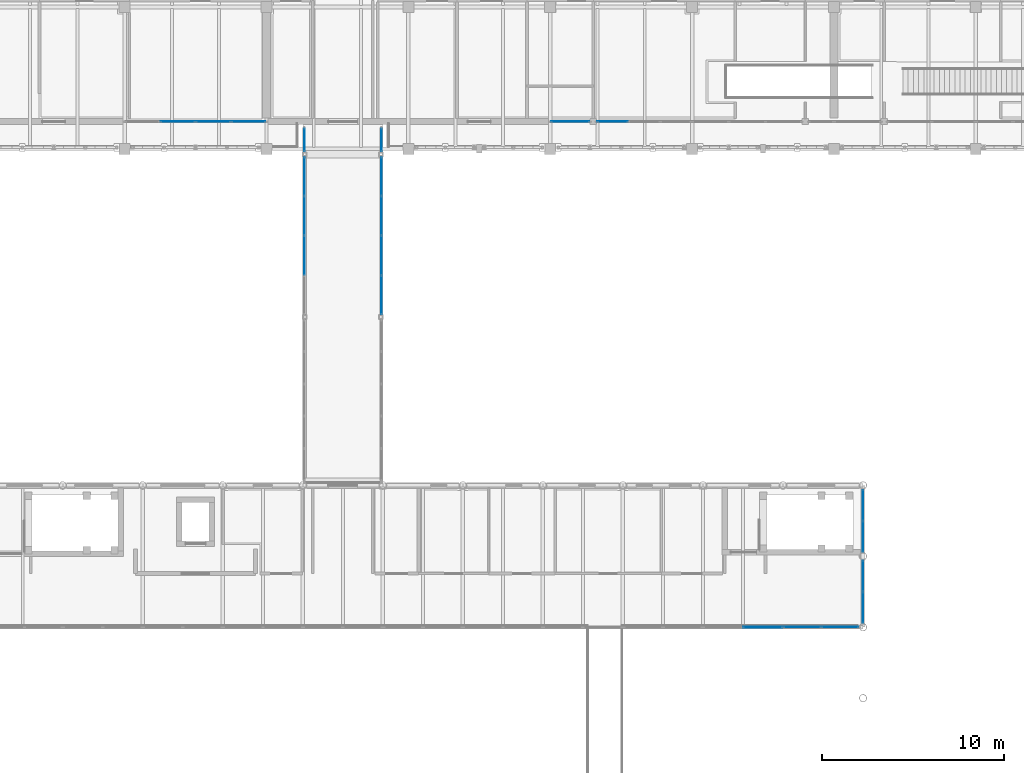
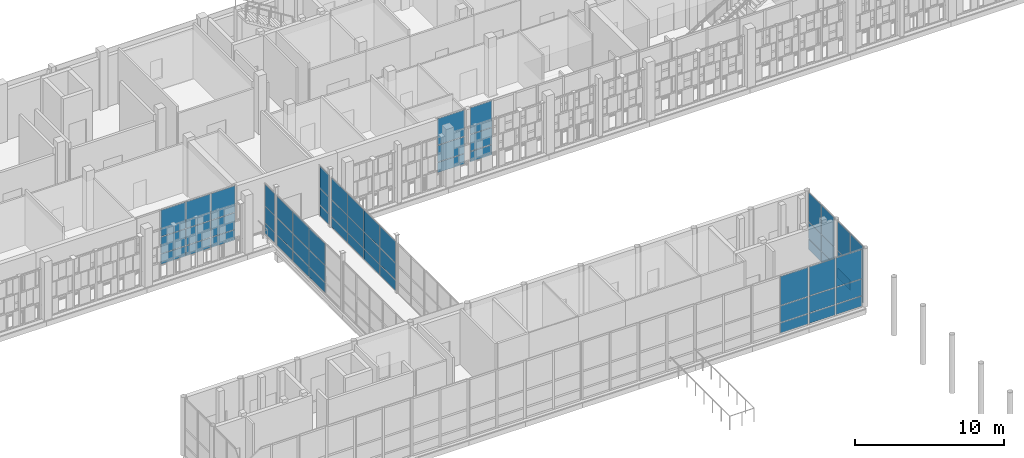
# One storey, part 83 of 138: 63 plates, 11 elements without a shape of their own.
"""IFC4 building model written with IfcOpenShell, lengths in metres."""

from ifc_helpers import new_model, si_unit, direction, frame, origin, origin_2d, place, context, subcontext, project, spatial, rectangle, extrude, material, layer, layer_set, type_object, element, aggregate, save


model = new_model("IFC4")

# Units and contexts
model_context = context("Model", 3, precision=1e-05, world=origin(), true_north=direction((0.0, 1.0)))
body_context = subcontext(model_context, "Body", "Model", "MODEL_VIEW")
ifc_project = project(units=[si_unit("LENGTHUNIT", "METRE"), si_unit("AREAUNIT", "SQUARE_METRE"), si_unit("VOLUMEUNIT", "CUBIC_METRE"), si_unit("PLANEANGLEUNIT", "RADIAN"), si_unit("MASSUNIT", "GRAM", prefix="KILO")], contexts=[model_context])

# Site, building, storey
site_placement = place(None, origin())
site = spatial("IfcSite", under=ifc_project, at=site_placement, CompositionType="ELEMENT")
building_placement = place(site_placement, origin())
building = spatial("IfcBuilding", under=site, at=building_placement, Name="Celorna Specialist Clinic", CompositionType="ELEMENT")
storey_placement = place(building_placement, frame((0.0, 0.0, 4.800048828125)))
storey = spatial("IfcBuildingStorey", under=building, at=storey_placement, Name="L01", CompositionType="ELEMENT", Elevation=4.800048828125)

# Curtain wall, plates
ifc_material_1 = material(Name="Thermally broken aluminium and solar-control glass curtain wall", Category="aluminium")
ifc_layer_1 = layer(ifc_material_1, 0.159912109375, Name="Thermally broken aluminium and solar-control glass curtain wall")
ifc_layer_set_1 = layer_set([ifc_layer_1], Name="Thermally broken aluminium and solar-control glass curtain wall")
curtain_wall_type_1 = type_object("IfcCurtainWallType", Name="CW-12", PredefinedType="NOTDEFINED", material=ifc_layer_set_1)
curtain_wall_1_placement = place(storey_placement, origin())
curtain_wall_1 = element("IfcCurtainWall", 1, at=curtain_wall_1_placement, inside=storey, type_object=curtain_wall_type_1, Name="Curtain wall CW-12 #36", PredefinedType="NOTDEFINED")
ifc_material_2 = material(Name="Low-e double glazing", Category="glass")
ifc_layer_2 = layer(ifc_material_2, 0.028076171875, Name="Low-e double glazing")
ifc_layer_set_2 = layer_set([ifc_layer_2], Name="Low-e double glazing")
plate_type_1 = type_object("IfcPlateType", Name="CPN-01", PredefinedType="CURTAIN_PANEL", material=ifc_layer_set_2)
plate_1_placement = place(storey_placement, frame((101.733154296875, 70.199951171875, 0.0498046875), z_axis=(0.0, 0.0, 1.0), x_axis=(-1.0, 0.0, 0.0)))
plate_1 = element("IfcPlate", 2, at=plate_1_placement, type_object=plate_type_1, Name="CW-12 panel 1.1", PredefinedType="CURTAIN_PANEL", context=body_context, shape_type="SweptSolid", body=[
    extrude(rectangle(XDim=2.019287109375, YDim=0.028076171875, at=origin_2d()), origin(), (0.0, 0.0, 1.0), 0.824951171875),
])
plate_2_placement = place(storey_placement, frame((101.733154296875, 70.199951171875, 0.9248046875), z_axis=(0.0, 0.0, 1.0), x_axis=(-1.0, 0.0, 0.0)))
plate_2 = element("IfcPlate", 3, at=plate_2_placement, type_object=plate_type_1, Name="CW-12 panel 1.2", PredefinedType="CURTAIN_PANEL", context=body_context, shape_type="SweptSolid", body=[
    extrude(rectangle(XDim=2.019287109375, YDim=0.028076171875, at=origin_2d()), origin(), (0.0, 0.0, 1.0), 1.35009765625),
])
plate_3_placement = place(storey_placement, frame((101.733154296875, 70.199951171875, 2.324951171875), z_axis=(0.0, 0.0, 1.0), x_axis=(-1.0, 0.0, 0.0)))
plate_3 = element("IfcPlate", 4, at=plate_3_placement, type_object=plate_type_1, Name="CW-12 panel 1.3", PredefinedType="CURTAIN_PANEL", context=body_context, shape_type="SweptSolid", body=[
    extrude(rectangle(XDim=2.019287109375, YDim=0.028076171875, at=origin_2d()), origin(), (0.0, 0.0, 1.0), 2.375),
])
plate_4_placement = place(storey_placement, frame((99.663818359375, 70.199951171875, 0.0498046875), z_axis=(0.0, 0.0, 1.0), x_axis=(-1.0, 0.0, 0.0)))
plate_4 = element("IfcPlate", 5, at=plate_4_placement, type_object=plate_type_1, Name="CW-12 panel 2.1", PredefinedType="CURTAIN_PANEL", context=body_context, shape_type="SweptSolid", body=[
    extrude(rectangle(XDim=2.019287109375, YDim=0.028076171875, at=origin_2d()), origin(), (0.0, 0.0, 1.0), 0.824951171875),
])
plate_5_placement = place(storey_placement, frame((99.663818359375, 70.199951171875, 0.9248046875), z_axis=(0.0, 0.0, 1.0), x_axis=(-1.0, 0.0, 0.0)))
plate_5 = element("IfcPlate", 6, at=plate_5_placement, type_object=plate_type_1, Name="CW-12 panel 2.2", PredefinedType="CURTAIN_PANEL", context=body_context, shape_type="SweptSolid", body=[
    extrude(rectangle(XDim=2.019287109375, YDim=0.028076171875, at=origin_2d()), origin(), (0.0, 0.0, 1.0), 1.35009765625),
])
plate_6_placement = place(storey_placement, frame((99.663818359375, 70.199951171875, 2.324951171875), z_axis=(0.0, 0.0, 1.0), x_axis=(-1.0, 0.0, 0.0)))
plate_6 = element("IfcPlate", 7, at=plate_6_placement, type_object=plate_type_1, Name="CW-12 panel 2.3", PredefinedType="CURTAIN_PANEL", context=body_context, shape_type="SweptSolid", body=[
    extrude(rectangle(XDim=2.019287109375, YDim=0.028076171875, at=origin_2d()), origin(), (0.0, 0.0, 1.0), 2.375),
])
aggregate(curtain_wall_1, [plate_1, plate_2, plate_3, plate_4, plate_5, plate_6])

ifc_layer_3 = layer(ifc_material_1, 0.159912109375, Name="Thermally broken aluminium and solar-control glass curtain wall")
ifc_layer_set_3 = layer_set([ifc_layer_3], Name="Thermally broken aluminium and solar-control glass curtain wall")
curtain_wall_type_2 = type_object("IfcCurtainWallType", Name="CW-114", PredefinedType="NOTDEFINED", material=ifc_layer_set_3)
curtain_wall_2_placement = place(storey_placement, origin())
curtain_wall_2 = element("IfcCurtainWall", 8, at=curtain_wall_2_placement, inside=storey, type_object=curtain_wall_type_2, Name="Curtain wall CW-114 #211", PredefinedType="NOTDEFINED")
plate_7_placement = place(storey_placement, frame((72.280029296875, 90.63623046875, 0.0498046875), z_axis=(0.0, 0.0, 1.0), x_axis=(0.0, 1.0, 0.0)))
plate_7 = element("IfcPlate", 9, at=plate_7_placement, type_object=plate_type_1, Name="CW-114 panel 2.1", PredefinedType="CURTAIN_PANEL", context=body_context, shape_type="SweptSolid", body=[
    extrude(rectangle(XDim=2.12744140625, YDim=0.028076171875, at=origin_2d()), origin(), (0.0, 0.0, 1.0), 0.824951171875),
])
plate_8_placement = place(storey_placement, frame((72.280029296875, 90.63623046875, 0.9248046875), z_axis=(0.0, 0.0, 1.0), x_axis=(0.0, 1.0, 0.0)))
plate_8 = element("IfcPlate", 10, at=plate_8_placement, type_object=plate_type_1, Name="CW-114 panel 2.2", PredefinedType="CURTAIN_PANEL", context=body_context, shape_type="SweptSolid", body=[
    extrude(rectangle(XDim=2.12744140625, YDim=0.028076171875, at=origin_2d()), origin(), (0.0, 0.0, 1.0), 1.35009765625),
])
plate_9_placement = place(storey_placement, frame((72.280029296875, 90.63623046875, 2.324951171875), z_axis=(0.0, 0.0, 1.0), x_axis=(0.0, 1.0, 0.0)))
plate_9 = element("IfcPlate", 11, at=plate_9_placement, type_object=plate_type_1, Name="CW-114 panel 2.3", PredefinedType="CURTAIN_PANEL", context=body_context, shape_type="SweptSolid", body=[
    extrude(rectangle(XDim=2.12744140625, YDim=0.028076171875, at=origin_2d()), origin(), (0.0, 0.0, 1.0), 1.7548828125),
])
plate_10_placement = place(storey_placement, frame((72.280029296875, 92.813720703125, 0.0498046875), z_axis=(0.0, 0.0, 1.0), x_axis=(0.0, 1.0, 0.0)))
plate_10 = element("IfcPlate", 12, at=plate_10_placement, type_object=plate_type_1, Name="CW-114 panel 3.1", PredefinedType="CURTAIN_PANEL", context=body_context, shape_type="SweptSolid", body=[
    extrude(rectangle(XDim=2.12744140625, YDim=0.028076171875, at=origin_2d()), origin(), (0.0, 0.0, 1.0), 0.824951171875),
])
plate_11_placement = place(storey_placement, frame((72.280029296875, 92.813720703125, 0.9248046875), z_axis=(0.0, 0.0, 1.0), x_axis=(0.0, 1.0, 0.0)))
plate_11 = element("IfcPlate", 13, at=plate_11_placement, type_object=plate_type_1, Name="CW-114 panel 3.2", PredefinedType="CURTAIN_PANEL", context=body_context, shape_type="SweptSolid", body=[
    extrude(rectangle(XDim=2.12744140625, YDim=0.028076171875, at=origin_2d()), origin(), (0.0, 0.0, 1.0), 1.35009765625),
])
plate_12_placement = place(storey_placement, frame((72.280029296875, 92.813720703125, 2.324951171875), z_axis=(0.0, 0.0, 1.0), x_axis=(0.0, 1.0, 0.0)))
plate_12 = element("IfcPlate", 14, at=plate_12_placement, type_object=plate_type_1, Name="CW-114 panel 3.3", PredefinedType="CURTAIN_PANEL", context=body_context, shape_type="SweptSolid", body=[
    extrude(rectangle(XDim=2.12744140625, YDim=0.028076171875, at=origin_2d()), origin(), (0.0, 0.0, 1.0), 1.7548828125),
])
plate_13_placement = place(storey_placement, frame((72.280029296875, 94.978759765625, 0.0498046875), z_axis=(0.0, 0.0, 1.0), x_axis=(0.0, 1.0, 0.0)))
plate_13 = element("IfcPlate", 15, at=plate_13_placement, type_object=plate_type_1, Name="CW-114 panel 4.1", PredefinedType="CURTAIN_PANEL", context=body_context, shape_type="SweptSolid", body=[
    extrude(rectangle(XDim=2.1025390625, YDim=0.028076171875, at=origin_2d()), origin(), (0.0, 0.0, 1.0), 0.824951171875),
])
plate_14_placement = place(storey_placement, frame((72.280029296875, 94.978759765625, 0.9248046875), z_axis=(0.0, 0.0, 1.0), x_axis=(0.0, 1.0, 0.0)))
plate_14 = element("IfcPlate", 16, at=plate_14_placement, type_object=plate_type_1, Name="CW-114 panel 4.2", PredefinedType="CURTAIN_PANEL", context=body_context, shape_type="SweptSolid", body=[
    extrude(rectangle(XDim=2.1025390625, YDim=0.028076171875, at=origin_2d()), origin(), (0.0, 0.0, 1.0), 1.35009765625),
])
plate_15_placement = place(storey_placement, frame((72.280029296875, 94.978759765625, 2.324951171875), z_axis=(0.0, 0.0, 1.0), x_axis=(0.0, 1.0, 0.0)))
plate_15 = element("IfcPlate", 17, at=plate_15_placement, type_object=plate_type_1, Name="CW-114 panel 4.3", PredefinedType="CURTAIN_PANEL", context=body_context, shape_type="SweptSolid", body=[
    extrude(rectangle(XDim=2.1025390625, YDim=0.028076171875, at=origin_2d()), origin(), (0.0, 0.0, 1.0), 1.7548828125),
])
aggregate(curtain_wall_2, [plate_7, plate_8, plate_9, plate_10, plate_11, plate_12, plate_13, plate_14, plate_15])

ifc_layer_4 = layer(ifc_material_1, 0.159912109375, Name="Thermally broken aluminium and solar-control glass curtain wall")
ifc_layer_set_4 = layer_set([ifc_layer_4], Name="Thermally broken aluminium and solar-control glass curtain wall")
curtain_wall_type_3 = type_object("IfcCurtainWallType", Name="CW-115", PredefinedType="NOTDEFINED", material=ifc_layer_set_4)
curtain_wall_3_placement = place(storey_placement, origin())
curtain_wall_3 = element("IfcCurtainWall", 18, at=curtain_wall_3_placement, inside=storey, type_object=curtain_wall_type_3, Name="Curtain wall CW-115 #212", PredefinedType="NOTDEFINED")
plate_16_placement = place(storey_placement, frame((72.280029296875, 96.9951171875, 0.0498046875), z_axis=(0.0, 0.0, 1.0), x_axis=(0.0, 1.0, 0.0)))
plate_16 = element("IfcPlate", 19, at=plate_16_placement, type_object=plate_type_1, Name="CW-115 panel 1.1", PredefinedType="CURTAIN_PANEL", context=body_context, shape_type="SweptSolid", body=[
    extrude(rectangle(XDim=1.25, YDim=0.028076171875, at=origin_2d()), origin(), (0.0, 0.0, 1.0), 0.824951171875),
])
plate_17_placement = place(storey_placement, frame((72.280029296875, 96.9951171875, 0.9248046875), z_axis=(0.0, 0.0, 1.0), x_axis=(0.0, 1.0, 0.0)))
plate_17 = element("IfcPlate", 20, at=plate_17_placement, type_object=plate_type_1, Name="CW-115 panel 1.2", PredefinedType="CURTAIN_PANEL", context=body_context, shape_type="SweptSolid", body=[
    extrude(rectangle(XDim=1.25, YDim=0.028076171875, at=origin_2d()), origin(), (0.0, 0.0, 1.0), 1.35009765625),
])
plate_18_placement = place(storey_placement, frame((72.280029296875, 96.9951171875, 2.324951171875), z_axis=(0.0, 0.0, 1.0), x_axis=(0.0, 1.0, 0.0)))
plate_18 = element("IfcPlate", 21, at=plate_18_placement, type_object=plate_type_1, Name="CW-115 panel 1.3", PredefinedType="CURTAIN_PANEL", context=body_context, shape_type="SweptSolid", body=[
    extrude(rectangle(XDim=1.25, YDim=0.028076171875, at=origin_2d()), origin(), (0.0, 0.0, 1.0), 1.7548828125),
])
aggregate(curtain_wall_3, [plate_16, plate_17, plate_18])

curtain_wall_4_placement = place(storey_placement, origin())
curtain_wall_4 = element("IfcCurtainWall", 22, at=curtain_wall_4_placement, inside=storey, type_object=curtain_wall_type_3, Name="Curtain wall CW-115 #213", PredefinedType="NOTDEFINED")
plate_19_placement = place(storey_placement, frame((76.52001953125, 96.9951171875, 0.0498046875), z_axis=(0.0, 0.0, 1.0), x_axis=(0.0, -1.0, 0.0)))
plate_19 = element("IfcPlate", 23, at=plate_19_placement, type_object=plate_type_1, Name="CW-115 panel 1.1", PredefinedType="CURTAIN_PANEL", context=body_context, shape_type="SweptSolid", body=[
    extrude(rectangle(XDim=1.25, YDim=0.028076171875, at=origin_2d()), origin(), (0.0, 0.0, 1.0), 0.824951171875),
])
plate_20_placement = place(storey_placement, frame((76.52001953125, 96.9951171875, 0.9248046875), z_axis=(0.0, 0.0, 1.0), x_axis=(0.0, -1.0, 0.0)))
plate_20 = element("IfcPlate", 24, at=plate_20_placement, type_object=plate_type_1, Name="CW-115 panel 1.2", PredefinedType="CURTAIN_PANEL", context=body_context, shape_type="SweptSolid", body=[
    extrude(rectangle(XDim=1.25, YDim=0.028076171875, at=origin_2d()), origin(), (0.0, 0.0, 1.0), 1.35009765625),
])
plate_21_placement = place(storey_placement, frame((76.52001953125, 96.9951171875, 2.324951171875), z_axis=(0.0, 0.0, 1.0), x_axis=(0.0, -1.0, 0.0)))
plate_21 = element("IfcPlate", 25, at=plate_21_placement, type_object=plate_type_1, Name="CW-115 panel 1.3", PredefinedType="CURTAIN_PANEL", context=body_context, shape_type="SweptSolid", body=[
    extrude(rectangle(XDim=1.25, YDim=0.028076171875, at=origin_2d()), origin(), (0.0, 0.0, 1.0), 1.7548828125),
])
aggregate(curtain_wall_4, [plate_19, plate_20, plate_21])

curtain_wall_5_placement = place(storey_placement, origin())
curtain_wall_5 = element("IfcCurtainWall", 26, at=curtain_wall_5_placement, inside=storey, type_object=curtain_wall_type_2, Name="Curtain wall CW-114 #214", PredefinedType="NOTDEFINED")
plate_22_placement = place(storey_placement, frame((76.52001953125, 94.978759765625, 0.0498046875), z_axis=(0.0, 0.0, 1.0), x_axis=(0.0, -1.0, 0.0)))
plate_22 = element("IfcPlate", 27, at=plate_22_placement, type_object=plate_type_1, Name="CW-114 panel 1.1", PredefinedType="CURTAIN_PANEL", context=body_context, shape_type="SweptSolid", body=[
    extrude(rectangle(XDim=2.1025390625, YDim=0.028076171875, at=origin_2d()), origin(), (0.0, 0.0, 1.0), 0.824951171875),
])
plate_23_placement = place(storey_placement, frame((76.52001953125, 94.978759765625, 0.9248046875), z_axis=(0.0, 0.0, 1.0), x_axis=(0.0, -1.0, 0.0)))
plate_23 = element("IfcPlate", 28, at=plate_23_placement, type_object=plate_type_1, Name="CW-114 panel 1.2", PredefinedType="CURTAIN_PANEL", context=body_context, shape_type="SweptSolid", body=[
    extrude(rectangle(XDim=2.1025390625, YDim=0.028076171875, at=origin_2d()), origin(), (0.0, 0.0, 1.0), 1.35009765625),
])
plate_24_placement = place(storey_placement, frame((76.52001953125, 94.978759765625, 2.324951171875), z_axis=(0.0, 0.0, 1.0), x_axis=(0.0, -1.0, 0.0)))
plate_24 = element("IfcPlate", 29, at=plate_24_placement, type_object=plate_type_1, Name="CW-114 panel 1.3", PredefinedType="CURTAIN_PANEL", context=body_context, shape_type="SweptSolid", body=[
    extrude(rectangle(XDim=2.1025390625, YDim=0.028076171875, at=origin_2d()), origin(), (0.0, 0.0, 1.0), 1.7548828125),
])
plate_25_placement = place(storey_placement, frame((76.52001953125, 92.813720703125, 0.0498046875), z_axis=(0.0, 0.0, 1.0), x_axis=(0.0, -1.0, 0.0)))
plate_25 = element("IfcPlate", 30, at=plate_25_placement, type_object=plate_type_1, Name="CW-114 panel 2.1", PredefinedType="CURTAIN_PANEL", context=body_context, shape_type="SweptSolid", body=[
    extrude(rectangle(XDim=2.12744140625, YDim=0.028076171875, at=origin_2d()), origin(), (0.0, 0.0, 1.0), 0.824951171875),
])
plate_26_placement = place(storey_placement, frame((76.52001953125, 92.813720703125, 0.9248046875), z_axis=(0.0, 0.0, 1.0), x_axis=(0.0, -1.0, 0.0)))
plate_26 = element("IfcPlate", 31, at=plate_26_placement, type_object=plate_type_1, Name="CW-114 panel 2.2", PredefinedType="CURTAIN_PANEL", context=body_context, shape_type="SweptSolid", body=[
    extrude(rectangle(XDim=2.12744140625, YDim=0.028076171875, at=origin_2d()), origin(), (0.0, 0.0, 1.0), 1.35009765625),
])
plate_27_placement = place(storey_placement, frame((76.52001953125, 92.813720703125, 2.324951171875), z_axis=(0.0, 0.0, 1.0), x_axis=(0.0, -1.0, 0.0)))
plate_27 = element("IfcPlate", 32, at=plate_27_placement, type_object=plate_type_1, Name="CW-114 panel 2.3", PredefinedType="CURTAIN_PANEL", context=body_context, shape_type="SweptSolid", body=[
    extrude(rectangle(XDim=2.12744140625, YDim=0.028076171875, at=origin_2d()), origin(), (0.0, 0.0, 1.0), 1.7548828125),
])
plate_28_placement = place(storey_placement, frame((76.52001953125, 90.63623046875, 0.0498046875), z_axis=(0.0, 0.0, 1.0), x_axis=(0.0, -1.0, 0.0)))
plate_28 = element("IfcPlate", 33, at=plate_28_placement, type_object=plate_type_1, Name="CW-114 panel 3.1", PredefinedType="CURTAIN_PANEL", context=body_context, shape_type="SweptSolid", body=[
    extrude(rectangle(XDim=2.12744140625, YDim=0.028076171875, at=origin_2d()), origin(), (0.0, 0.0, 1.0), 0.824951171875),
])
plate_29_placement = place(storey_placement, frame((76.52001953125, 90.63623046875, 0.9248046875), z_axis=(0.0, 0.0, 1.0), x_axis=(0.0, -1.0, 0.0)))
plate_29 = element("IfcPlate", 34, at=plate_29_placement, type_object=plate_type_1, Name="CW-114 panel 3.2", PredefinedType="CURTAIN_PANEL", context=body_context, shape_type="SweptSolid", body=[
    extrude(rectangle(XDim=2.12744140625, YDim=0.028076171875, at=origin_2d()), origin(), (0.0, 0.0, 1.0), 1.35009765625),
])
plate_30_placement = place(storey_placement, frame((76.52001953125, 90.63623046875, 2.324951171875), z_axis=(0.0, 0.0, 1.0), x_axis=(0.0, -1.0, 0.0)))
plate_30 = element("IfcPlate", 35, at=plate_30_placement, type_object=plate_type_1, Name="CW-114 panel 3.3", PredefinedType="CURTAIN_PANEL", context=body_context, shape_type="SweptSolid", body=[
    extrude(rectangle(XDim=2.12744140625, YDim=0.028076171875, at=origin_2d()), origin(), (0.0, 0.0, 1.0), 1.7548828125),
])
plate_31_placement = place(storey_placement, frame((76.52001953125, 88.47119140625, 0.0498046875), z_axis=(0.0, 0.0, 1.0), x_axis=(0.0, -1.0, 0.0)))
plate_31 = element("IfcPlate", 36, at=plate_31_placement, type_object=plate_type_1, Name="CW-114 panel 4.1", PredefinedType="CURTAIN_PANEL", context=body_context, shape_type="SweptSolid", body=[
    extrude(rectangle(XDim=2.1025390625, YDim=0.028076171875, at=origin_2d()), origin(), (0.0, 0.0, 1.0), 0.824951171875),
])
plate_32_placement = place(storey_placement, frame((76.52001953125, 88.47119140625, 0.9248046875), z_axis=(0.0, 0.0, 1.0), x_axis=(0.0, -1.0, 0.0)))
plate_32 = element("IfcPlate", 37, at=plate_32_placement, type_object=plate_type_1, Name="CW-114 panel 4.2", PredefinedType="CURTAIN_PANEL", context=body_context, shape_type="SweptSolid", body=[
    extrude(rectangle(XDim=2.1025390625, YDim=0.028076171875, at=origin_2d()), origin(), (0.0, 0.0, 1.0), 1.35009765625),
])
plate_33_placement = place(storey_placement, frame((76.52001953125, 88.47119140625, 2.324951171875), z_axis=(0.0, 0.0, 1.0), x_axis=(0.0, -1.0, 0.0)))
plate_33 = element("IfcPlate", 38, at=plate_33_placement, type_object=plate_type_1, Name="CW-114 panel 4.3", PredefinedType="CURTAIN_PANEL", context=body_context, shape_type="SweptSolid", body=[
    extrude(rectangle(XDim=2.1025390625, YDim=0.028076171875, at=origin_2d()), origin(), (0.0, 0.0, 1.0), 1.7548828125),
])
aggregate(curtain_wall_5, [plate_22, plate_23, plate_24, plate_25, plate_26, plate_27, plate_28, plate_29, plate_30, plate_31, plate_32, plate_33])

ifc_layer_5 = layer(ifc_material_1, 0.159912109375, Name="Thermally broken aluminium and solar-control glass curtain wall")
ifc_layer_set_5 = layer_set([ifc_layer_5], Name="Thermally broken aluminium and solar-control glass curtain wall")
curtain_wall_type_4 = type_object("IfcCurtainWallType", Name="CW-26", PredefinedType="NOTDEFINED", material=ifc_layer_set_5)
curtain_wall_6_placement = place(storey_placement, origin())
curtain_wall_6 = element("IfcCurtainWall", 39, at=curtain_wall_6_placement, inside=storey, type_object=curtain_wall_type_4, Name="Curtain wall CW-26 #104", PredefinedType="NOTDEFINED")
ifc_material_3 = material(Name="Solar-control triple glazing", Category="glass")
ifc_layer_6 = layer(ifc_material_3, 0.035888671875, Name="Solar-control triple glazing")
ifc_layer_set_6 = layer_set([ifc_layer_6], Name="Solar-control triple glazing")
plate_type_2 = type_object("IfcPlateType", Name="CPN-02", PredefinedType="CURTAIN_PANEL", material=ifc_layer_set_6)
plate_34_placement = place(storey_placement, frame((69.20947265625, 98.0, 0.0498046875), z_axis=(0.0, 0.0, 1.0), x_axis=(-1.0, 0.0, 0.0)))
plate_34 = element("IfcPlate", 40, at=plate_34_placement, type_object=plate_type_2, Name="CW-26 panel 1.1", PredefinedType="CURTAIN_PANEL", context=body_context, shape_type="SweptSolid", body=[
    extrude(rectangle(XDim=1.873046875, YDim=0.035888671875, at=origin_2d()), origin(), (0.0, 0.0, 1.0), 0.824951171875),
])
plate_35_placement = place(storey_placement, frame((69.20947265625, 98.0, 0.9248046875), z_axis=(0.0, 0.0, 1.0), x_axis=(-1.0, 0.0, 0.0)))
plate_35 = element("IfcPlate", 41, at=plate_35_placement, type_object=plate_type_2, Name="CW-26 panel 1.2", PredefinedType="CURTAIN_PANEL", context=body_context, shape_type="SweptSolid", body=[
    extrude(rectangle(XDim=1.873046875, YDim=0.035888671875, at=origin_2d()), origin(), (0.0, 0.0, 1.0), 1.35009765625),
])
plate_36_placement = place(storey_placement, frame((69.20947265625, 98.0, 2.324951171875), z_axis=(0.0, 0.0, 1.0), x_axis=(-1.0, 0.0, 0.0)))
plate_36 = element("IfcPlate", 42, at=plate_36_placement, type_object=plate_type_2, Name="CW-26 panel 1.3", PredefinedType="CURTAIN_PANEL", context=body_context, shape_type="SweptSolid", body=[
    extrude(rectangle(XDim=1.873046875, YDim=0.035888671875, at=origin_2d()), origin(), (0.0, 0.0, 1.0), 2.1650390625),
])
plate_37_placement = place(storey_placement, frame((67.27392578125, 98.0, 0.0498046875), z_axis=(0.0, 0.0, 1.0), x_axis=(-1.0, 0.0, 0.0)))
plate_37 = element("IfcPlate", 43, at=plate_37_placement, type_object=plate_type_2, Name="CW-26 panel 2.1", PredefinedType="CURTAIN_PANEL", context=body_context, shape_type="SweptSolid", body=[
    extrude(rectangle(XDim=1.89794921875, YDim=0.035888671875, at=origin_2d()), origin(), (0.0, 0.0, 1.0), 0.824951171875),
])
plate_38_placement = place(storey_placement, frame((67.27392578125, 98.0, 0.9248046875), z_axis=(0.0, 0.0, 1.0), x_axis=(-1.0, 0.0, 0.0)))
plate_38 = element("IfcPlate", 44, at=plate_38_placement, type_object=plate_type_2, Name="CW-26 panel 2.2", PredefinedType="CURTAIN_PANEL", context=body_context, shape_type="SweptSolid", body=[
    extrude(rectangle(XDim=1.89794921875, YDim=0.035888671875, at=origin_2d()), origin(), (0.0, 0.0, 1.0), 1.35009765625),
])
plate_39_placement = place(storey_placement, frame((67.27392578125, 98.0, 2.324951171875), z_axis=(0.0, 0.0, 1.0), x_axis=(-1.0, 0.0, 0.0)))
plate_39 = element("IfcPlate", 45, at=plate_39_placement, type_object=plate_type_2, Name="CW-26 panel 2.3", PredefinedType="CURTAIN_PANEL", context=body_context, shape_type="SweptSolid", body=[
    extrude(rectangle(XDim=1.89794921875, YDim=0.035888671875, at=origin_2d()), origin(), (0.0, 0.0, 1.0), 2.1650390625),
])
plate_40_placement = place(storey_placement, frame((65.325927734375, 98.0, 0.0498046875), z_axis=(0.0, 0.0, 1.0), x_axis=(-1.0, 0.0, 0.0)))
plate_40 = element("IfcPlate", 46, at=plate_40_placement, type_object=plate_type_2, Name="CW-26 panel 3.1", PredefinedType="CURTAIN_PANEL", context=body_context, shape_type="SweptSolid", body=[
    extrude(rectangle(XDim=1.89794921875, YDim=0.035888671875, at=origin_2d()), origin(), (0.0, 0.0, 1.0), 0.824951171875),
])
plate_41_placement = place(storey_placement, frame((65.325927734375, 98.0, 0.9248046875), z_axis=(0.0, 0.0, 1.0), x_axis=(-1.0, 0.0, 0.0)))
plate_41 = element("IfcPlate", 47, at=plate_41_placement, type_object=plate_type_2, Name="CW-26 panel 3.2", PredefinedType="CURTAIN_PANEL", context=body_context, shape_type="SweptSolid", body=[
    extrude(rectangle(XDim=1.89794921875, YDim=0.035888671875, at=origin_2d()), origin(), (0.0, 0.0, 1.0), 1.35009765625),
])
plate_42_placement = place(storey_placement, frame((65.325927734375, 98.0, 2.324951171875), z_axis=(0.0, 0.0, 1.0), x_axis=(-1.0, 0.0, 0.0)))
plate_42 = element("IfcPlate", 48, at=plate_42_placement, type_object=plate_type_2, Name="CW-26 panel 3.3", PredefinedType="CURTAIN_PANEL", context=body_context, shape_type="SweptSolid", body=[
    extrude(rectangle(XDim=1.89794921875, YDim=0.035888671875, at=origin_2d()), origin(), (0.0, 0.0, 1.0), 2.1650390625),
])
aggregate(curtain_wall_6, [plate_34, plate_35, plate_36, plate_37, plate_38, plate_39, plate_40, plate_41, plate_42])

ifc_layer_7 = layer(ifc_material_1, 0.159912109375, Name="Thermally broken aluminium and solar-control glass curtain wall")
ifc_layer_set_7 = layer_set([ifc_layer_7], Name="Thermally broken aluminium and solar-control glass curtain wall")
curtain_wall_type_5 = type_object("IfcCurtainWallType", Name="CW-51", PredefinedType="NOTDEFINED", material=ifc_layer_set_7)
curtain_wall_7_placement = place(storey_placement, origin())
curtain_wall_7 = element("IfcCurtainWall", 49, at=curtain_wall_7_placement, inside=storey, type_object=curtain_wall_type_5, Name="Curtain wall CW-51 #105", PredefinedType="NOTDEFINED")
plate_43_placement = place(storey_placement, frame((89.23193359375, 98.0, 0.0498046875), z_axis=(0.0, 0.0, 1.0), x_axis=(-1.0, 0.0, 0.0)))
plate_43 = element("IfcPlate", 50, at=plate_43_placement, type_object=plate_type_2, Name="CW-51 panel 3.1", PredefinedType="CURTAIN_PANEL", context=body_context, shape_type="SweptSolid", body=[
    extrude(rectangle(XDim=1.67578125, YDim=0.035888671875, at=origin_2d()), origin(), (0.0, 0.0, 1.0), 0.824951171875),
])
plate_44_placement = place(storey_placement, frame((89.23193359375, 98.0, 0.9248046875), z_axis=(0.0, 0.0, 1.0), x_axis=(-1.0, 0.0, 0.0)))
plate_44 = element("IfcPlate", 51, at=plate_44_placement, type_object=plate_type_2, Name="CW-51 panel 3.2", PredefinedType="CURTAIN_PANEL", context=body_context, shape_type="SweptSolid", body=[
    extrude(rectangle(XDim=1.67578125, YDim=0.035888671875, at=origin_2d()), origin(), (0.0, 0.0, 1.0), 1.35009765625),
])
plate_45_placement = place(storey_placement, frame((89.23193359375, 98.0, 2.324951171875), z_axis=(0.0, 0.0, 1.0), x_axis=(-1.0, 0.0, 0.0)))
plate_45 = element("IfcPlate", 52, at=plate_45_placement, type_object=plate_type_2, Name="CW-51 panel 3.3", PredefinedType="CURTAIN_PANEL", context=body_context, shape_type="SweptSolid", body=[
    extrude(rectangle(XDim=1.67578125, YDim=0.035888671875, at=origin_2d()), origin(), (0.0, 0.0, 1.0), 2.1650390625),
])
aggregate(curtain_wall_7, [plate_43, plate_44, plate_45])

ifc_layer_8 = layer(ifc_material_1, 0.159912109375, Name="Thermally broken aluminium and solar-control glass curtain wall")
ifc_layer_set_8 = layer_set([ifc_layer_8], Name="Thermally broken aluminium and solar-control glass curtain wall")
curtain_wall_type_6 = type_object("IfcCurtainWallType", Name="CW-52", PredefinedType="NOTDEFINED", material=ifc_layer_set_8)
curtain_wall_8_placement = place(storey_placement, origin())
curtain_wall_8 = element("IfcCurtainWall", 53, at=curtain_wall_8_placement, inside=storey, type_object=curtain_wall_type_6, Name="Curtain wall CW-52 #106", PredefinedType="NOTDEFINED")
plate_46_placement = place(storey_placement, frame((86.89990234375, 98.0, 0.0498046875), z_axis=(0.0, 0.0, 1.0), x_axis=(-1.0, 0.0, 0.0)))
plate_46 = element("IfcPlate", 54, at=plate_46_placement, type_object=plate_type_2, Name="CW-52 panel 1.1", PredefinedType="CURTAIN_PANEL", context=body_context, shape_type="SweptSolid", body=[
    extrude(rectangle(XDim=2.092041015625, YDim=0.035888671875, at=origin_2d()), origin(), (0.0, 0.0, 1.0), 0.824951171875),
])
plate_47_placement = place(storey_placement, frame((86.89990234375, 98.0, 0.9248046875), z_axis=(0.0, 0.0, 1.0), x_axis=(-1.0, 0.0, 0.0)))
plate_47 = element("IfcPlate", 55, at=plate_47_placement, type_object=plate_type_2, Name="CW-52 panel 1.2", PredefinedType="CURTAIN_PANEL", context=body_context, shape_type="SweptSolid", body=[
    extrude(rectangle(XDim=2.092041015625, YDim=0.035888671875, at=origin_2d()), origin(), (0.0, 0.0, 1.0), 1.35009765625),
])
plate_48_placement = place(storey_placement, frame((86.89990234375, 98.0, 2.324951171875), z_axis=(0.0, 0.0, 1.0), x_axis=(-1.0, 0.0, 0.0)))
plate_48 = element("IfcPlate", 56, at=plate_48_placement, type_object=plate_type_2, Name="CW-52 panel 1.3", PredefinedType="CURTAIN_PANEL", context=body_context, shape_type="SweptSolid", body=[
    extrude(rectangle(XDim=2.092041015625, YDim=0.035888671875, at=origin_2d()), origin(), (0.0, 0.0, 1.0), 2.1650390625),
])
aggregate(curtain_wall_8, [plate_46, plate_47, plate_48])

ifc_layer_9 = layer(ifc_material_1, 0.159912109375, Name="Thermally broken aluminium and solar-control glass curtain wall")
ifc_layer_set_9 = layer_set([ifc_layer_9], Name="Thermally broken aluminium and solar-control glass curtain wall")
curtain_wall_type_7 = type_object("IfcCurtainWallType", Name="CW-11", PredefinedType="NOTDEFINED", material=ifc_layer_set_9)
curtain_wall_9_placement = place(storey_placement, origin())
curtain_wall_9 = element("IfcCurtainWall", 57, at=curtain_wall_9_placement, inside=storey, type_object=curtain_wall_type_7, Name="Curtain wall CW-11 #35", PredefinedType="NOTDEFINED")
ifc_material_4 = material(Name="Glazed polychrome ceramic insulated spandrel")
ifc_layer_10 = layer(ifc_material_4, 0.0439453125, Name="Glazed polychrome ceramic insulated spandrel")
ifc_layer_set_10 = layer_set([ifc_layer_10], Name="Glazed polychrome ceramic insulated spandrel")
plate_type_3 = type_object("IfcPlateType", Name="CPN-03", PredefinedType="CURTAIN_PANEL", material=ifc_layer_set_10)
plate_49_placement = place(storey_placement, frame((97.485595703125, 70.199951171875, 0.0498046875), z_axis=(0.0, 0.0, 1.0), x_axis=(-1.0, 0.0, 0.0)))
plate_49 = element("IfcPlate", 58, at=plate_49_placement, type_object=plate_type_3, Name="CW-11 panel 1.1", PredefinedType="CURTAIN_PANEL", context=body_context, shape_type="SweptSolid", body=[
    extrude(rectangle(XDim=2.12109375, YDim=0.0439453125, at=origin_2d()), origin(), (0.0, 0.0, 1.0), 0.824951171875),
])
plate_50_placement = place(storey_placement, frame((97.485595703125, 70.199951171875, 0.9248046875), z_axis=(0.0, 0.0, 1.0), x_axis=(-1.0, 0.0, 0.0)))
plate_50 = element("IfcPlate", 59, at=plate_50_placement, type_object=plate_type_3, Name="CW-11 panel 1.2", PredefinedType="CURTAIN_PANEL", context=body_context, shape_type="SweptSolid", body=[
    extrude(rectangle(XDim=2.12109375, YDim=0.0439453125, at=origin_2d()), origin(), (0.0, 0.0, 1.0), 1.35009765625),
])
plate_51_placement = place(storey_placement, frame((97.485595703125, 70.199951171875, 2.324951171875), z_axis=(0.0, 0.0, 1.0), x_axis=(-1.0, 0.0, 0.0)))
plate_51 = element("IfcPlate", 60, at=plate_51_placement, type_object=plate_type_3, Name="CW-11 panel 1.3", PredefinedType="CURTAIN_PANEL", context=body_context, shape_type="SweptSolid", body=[
    extrude(rectangle(XDim=2.12109375, YDim=0.0439453125, at=origin_2d()), origin(), (0.0, 0.0, 1.0), 2.375),
])
aggregate(curtain_wall_9, [plate_49, plate_50, plate_51])

ifc_layer_11 = layer(ifc_material_1, 0.159912109375, Name="Thermally broken aluminium and solar-control glass curtain wall")
ifc_layer_set_11 = layer_set([ifc_layer_11], Name="Thermally broken aluminium and solar-control glass curtain wall")
curtain_wall_type_8 = type_object("IfcCurtainWallType", Name="CW-13", PredefinedType="NOTDEFINED", material=ifc_layer_set_11)
curtain_wall_10_placement = place(storey_placement, origin())
curtain_wall_10 = element("IfcCurtainWall", 61, at=curtain_wall_10_placement, inside=storey, type_object=curtain_wall_type_8, Name="Curtain wall CW-13 #39", PredefinedType="NOTDEFINED")
plate_52_placement = place(storey_placement, frame((103.0, 76.908935546875, 0.0498046875), z_axis=(0.0, 0.0, 1.0), x_axis=(0.0, -1.0, 0.0)))
plate_52 = element("IfcPlate", 62, at=plate_52_placement, type_object=plate_type_3, Name="CW-13 panel 1.1", PredefinedType="CURTAIN_PANEL", context=body_context, shape_type="SweptSolid", body=[
    extrude(rectangle(XDim=1.667724609375, YDim=0.0439453125, at=origin_2d()), origin(), (0.0, 0.0, 1.0), 0.824951171875),
])
plate_53_placement = place(storey_placement, frame((103.0, 76.908935546875, 0.9248046875), z_axis=(0.0, 0.0, 1.0), x_axis=(0.0, -1.0, 0.0)))
plate_53 = element("IfcPlate", 63, at=plate_53_placement, type_object=plate_type_3, Name="CW-13 panel 1.2", PredefinedType="CURTAIN_PANEL", context=body_context, shape_type="SweptSolid", body=[
    extrude(rectangle(XDim=1.667724609375, YDim=0.0439453125, at=origin_2d()), origin(), (0.0, 0.0, 1.0), 1.35009765625),
])
plate_54_placement = place(storey_placement, frame((103.0, 76.908935546875, 2.324951171875), z_axis=(0.0, 0.0, 1.0), x_axis=(0.0, -1.0, 0.0)))
plate_54 = element("IfcPlate", 64, at=plate_54_placement, type_object=plate_type_3, Name="CW-13 panel 1.3", PredefinedType="CURTAIN_PANEL", context=body_context, shape_type="SweptSolid", body=[
    extrude(rectangle(XDim=1.667724609375, YDim=0.0439453125, at=origin_2d()), origin(), (0.0, 0.0, 1.0), 2.375),
])
plate_55_placement = place(storey_placement, frame((103.0, 75.191162109375, 0.0498046875), z_axis=(0.0, 0.0, 1.0), x_axis=(0.0, -1.0, 0.0)))
plate_55 = element("IfcPlate", 65, at=plate_55_placement, type_object=plate_type_3, Name="CW-13 panel 2.1", PredefinedType="CURTAIN_PANEL", context=body_context, shape_type="SweptSolid", body=[
    extrude(rectangle(XDim=1.667724609375, YDim=0.0439453125, at=origin_2d()), origin(), (0.0, 0.0, 1.0), 0.824951171875),
])
plate_56_placement = place(storey_placement, frame((103.0, 75.191162109375, 0.9248046875), z_axis=(0.0, 0.0, 1.0), x_axis=(0.0, -1.0, 0.0)))
plate_56 = element("IfcPlate", 66, at=plate_56_placement, type_object=plate_type_3, Name="CW-13 panel 2.2", PredefinedType="CURTAIN_PANEL", context=body_context, shape_type="SweptSolid", body=[
    extrude(rectangle(XDim=1.667724609375, YDim=0.0439453125, at=origin_2d()), origin(), (0.0, 0.0, 1.0), 1.35009765625),
])
plate_57_placement = place(storey_placement, frame((103.0, 75.191162109375, 2.324951171875), z_axis=(0.0, 0.0, 1.0), x_axis=(0.0, -1.0, 0.0)))
plate_57 = element("IfcPlate", 67, at=plate_57_placement, type_object=plate_type_3, Name="CW-13 panel 2.3", PredefinedType="CURTAIN_PANEL", context=body_context, shape_type="SweptSolid", body=[
    extrude(rectangle(XDim=1.667724609375, YDim=0.0439453125, at=origin_2d()), origin(), (0.0, 0.0, 1.0), 2.375),
])
aggregate(curtain_wall_10, [plate_52, plate_53, plate_54, plate_55, plate_56, plate_57])

curtain_wall_11_placement = place(storey_placement, origin())
curtain_wall_11 = element("IfcCurtainWall", 68, at=curtain_wall_11_placement, inside=storey, type_object=curtain_wall_type_8, Name="Curtain wall CW-13 #40", PredefinedType="NOTDEFINED")
plate_58_placement = place(storey_placement, frame((103.0, 73.0087890625, 0.0498046875), z_axis=(0.0, 0.0, 1.0), x_axis=(0.0, -1.0, 0.0)))
plate_58 = element("IfcPlate", 69, at=plate_58_placement, type_object=plate_type_3, Name="CW-13 panel 1.1", PredefinedType="CURTAIN_PANEL", context=body_context, shape_type="SweptSolid", body=[
    extrude(rectangle(XDim=1.667724609375, YDim=0.0439453125, at=origin_2d()), origin(), (0.0, 0.0, 1.0), 0.824951171875),
])
plate_59_placement = place(storey_placement, frame((103.0, 73.0087890625, 0.9248046875), z_axis=(0.0, 0.0, 1.0), x_axis=(0.0, -1.0, 0.0)))
plate_59 = element("IfcPlate", 70, at=plate_59_placement, type_object=plate_type_3, Name="CW-13 panel 1.2", PredefinedType="CURTAIN_PANEL", context=body_context, shape_type="SweptSolid", body=[
    extrude(rectangle(XDim=1.667724609375, YDim=0.0439453125, at=origin_2d()), origin(), (0.0, 0.0, 1.0), 1.35009765625),
])
plate_60_placement = place(storey_placement, frame((103.0, 73.0087890625, 2.324951171875), z_axis=(0.0, 0.0, 1.0), x_axis=(0.0, -1.0, 0.0)))
plate_60 = element("IfcPlate", 71, at=plate_60_placement, type_object=plate_type_3, Name="CW-13 panel 1.3", PredefinedType="CURTAIN_PANEL", context=body_context, shape_type="SweptSolid", body=[
    extrude(rectangle(XDim=1.667724609375, YDim=0.0439453125, at=origin_2d()), origin(), (0.0, 0.0, 1.0), 2.375),
])
plate_61_placement = place(storey_placement, frame((103.0, 71.291015625, 0.0498046875), z_axis=(0.0, 0.0, 1.0), x_axis=(0.0, -1.0, 0.0)))
plate_61 = element("IfcPlate", 72, at=plate_61_placement, type_object=plate_type_3, Name="CW-13 panel 2.1", PredefinedType="CURTAIN_PANEL", context=body_context, shape_type="SweptSolid", body=[
    extrude(rectangle(XDim=1.667724609375, YDim=0.0439453125, at=origin_2d()), origin(), (0.0, 0.0, 1.0), 0.824951171875),
])
plate_62_placement = place(storey_placement, frame((103.0, 71.291015625, 0.9248046875), z_axis=(0.0, 0.0, 1.0), x_axis=(0.0, -1.0, 0.0)))
plate_62 = element("IfcPlate", 73, at=plate_62_placement, type_object=plate_type_3, Name="CW-13 panel 2.2", PredefinedType="CURTAIN_PANEL", context=body_context, shape_type="SweptSolid", body=[
    extrude(rectangle(XDim=1.667724609375, YDim=0.0439453125, at=origin_2d()), origin(), (0.0, 0.0, 1.0), 1.35009765625),
])
plate_63_placement = place(storey_placement, frame((103.0, 71.291015625, 2.324951171875), z_axis=(0.0, 0.0, 1.0), x_axis=(0.0, -1.0, 0.0)))
plate_63 = element("IfcPlate", 74, at=plate_63_placement, type_object=plate_type_3, Name="CW-13 panel 2.3", PredefinedType="CURTAIN_PANEL", context=body_context, shape_type="SweptSolid", body=[
    extrude(rectangle(XDim=1.667724609375, YDim=0.0439453125, at=origin_2d()), origin(), (0.0, 0.0, 1.0), 2.375),
])
aggregate(curtain_wall_11, [plate_58, plate_59, plate_60, plate_61, plate_62, plate_63])

save(model, "model.ifc")
